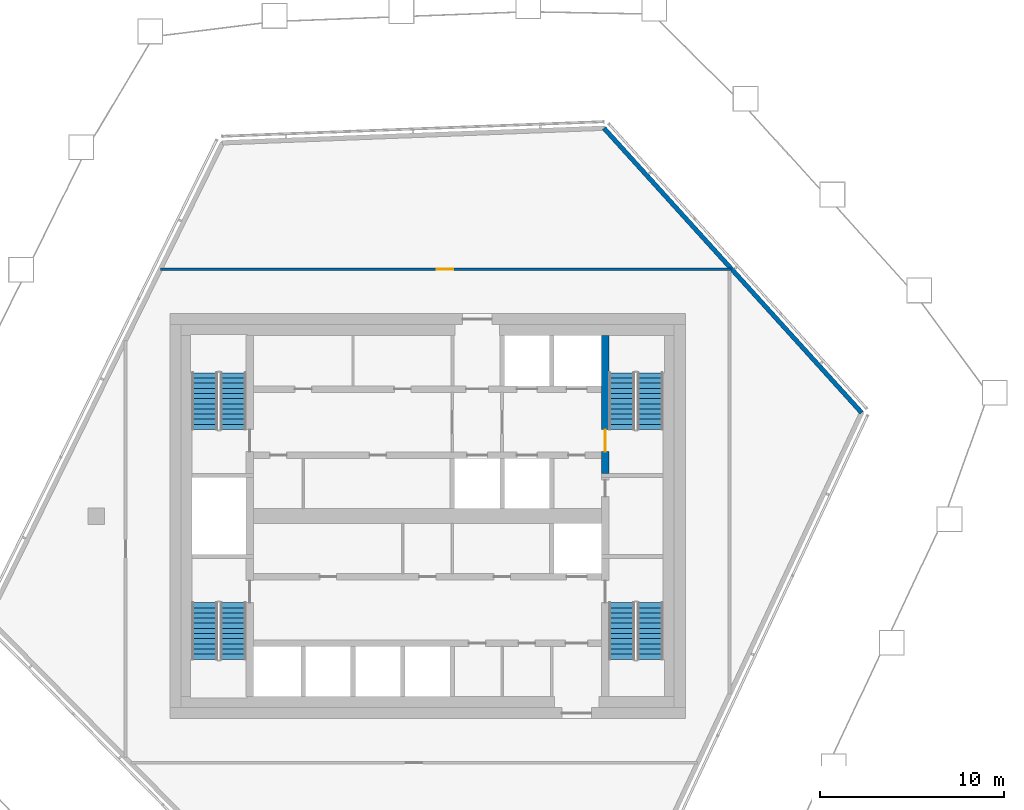
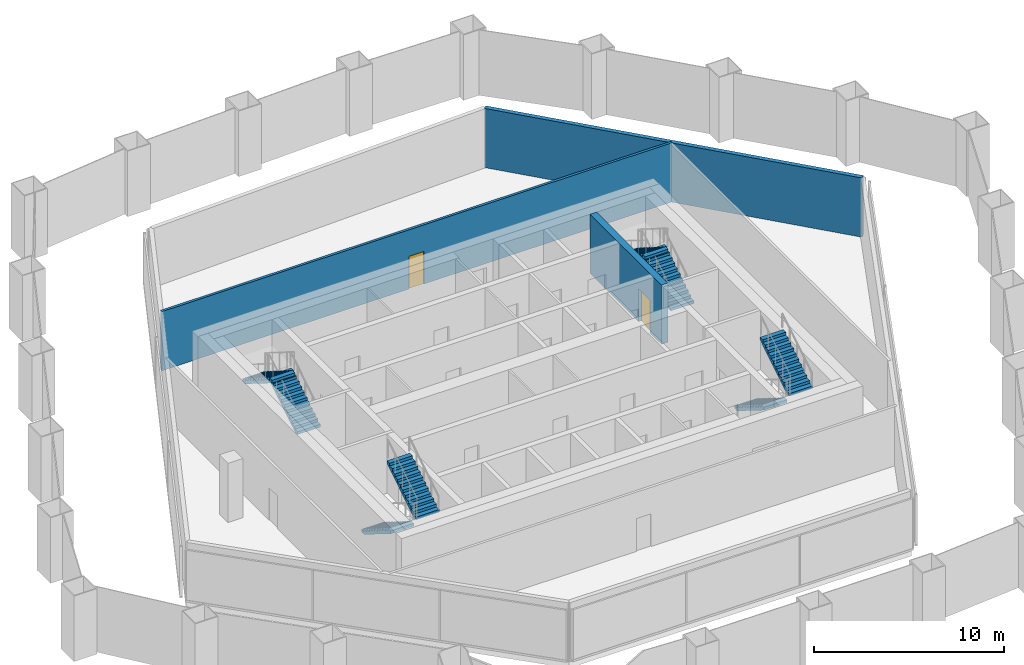
# One storey, part 9 of 18: 8 stair flights, 3 walls, 2 doors, 2 openings, 4 elements without a shape of their own.
"""IFC4 building model written with IfcOpenShell, lengths in metres."""

from ifc_helpers import new_model, si_unit, direction, frame, frame_2d, origin, place, context, subcontext, project, spatial, polyline, rectangle, outline, extrude, material, layer, layer_set, type_object, element, fill, aggregate, save


model = new_model("IFC4")

# Units and contexts
model_context = context("Model", 3, precision=1e-05, world=origin(), true_north=direction((0.0, 1.0)))
body_context = subcontext(model_context, "Body", "Model", "MODEL_VIEW")
ifc_project = project(units=[si_unit("LENGTHUNIT", "METRE"), si_unit("AREAUNIT", "SQUARE_METRE"), si_unit("VOLUMEUNIT", "CUBIC_METRE"), si_unit("PLANEANGLEUNIT", "RADIAN"), si_unit("MASSUNIT", "GRAM", prefix="KILO")], contexts=[model_context])

# Site, building, storey
site_placement = place(None, origin())
site = spatial("IfcSite", under=ifc_project, at=site_placement, CompositionType="ELEMENT")
building_placement = place(site_placement, origin())
building = spatial("IfcBuilding", under=site, at=building_placement, Name="Dongbaek Canopy Tower", CompositionType="ELEMENT")
storey_placement = place(building_placement, frame((0.0, 0.0, 359.0)))
storey = spatial("IfcBuildingStorey", under=building, at=storey_placement, Name="L77", CompositionType="ELEMENT", Elevation=359.0)

# Wall, opening, door
ifc_material_1 = material(Name="Gypsum board partition, steel stud, 2 x 15 mm fire board", Category="steel")
ifc_layer_1 = layer(ifc_material_1, 0.14990234375)
ifc_layer_set_1 = layer_set([ifc_layer_1], Name="Fire-rated partition 150 gypsum board")
wall_type_1 = type_object("IfcWallType", Name="Fire-rated partition 150 gypsum board", PredefinedType="PARTITIONING", material=ifc_layer_set_1)
wall_1_placement = place(storey_placement, frame((-14.499755859375, 13.39990234375, 0.0), z_axis=(0.0, 0.0, 1.0), x_axis=(1.0, 0.0, 0.0)))
wall_1 = element("IfcWall", 1, at=wall_1_placement, inside=storey, type_object=wall_type_1, Name="Corridor partition", PredefinedType="PARTITIONING", context=body_context, shape_type="SweptSolid", body=[
    extrude(rectangle(XDim=30.974853515625, YDim=0.14990234375, at=frame_2d((15.4873046875, 0.0))), origin(), (0.0, 0.0, 1.0), 3.800048828125),
])
opening_1_placement = place(wall_1_placement, frame((15.0, 0.0, 0.0)))
opening_1 = element("IfcOpeningElement", 2, at=opening_1_placement, cuts=wall_1, Name="Opening L77-D003", PredefinedType="OPENING", context=body_context, shape_type="SweptSolid", body=[
    extrude(rectangle(XDim=0.89990234375, YDim=2.10009765625, at=frame_2d((0.449951171875, 1.050048828125))), frame((0.0, 0.0849609375, 0.0), z_axis=(0.0, -1.0, 0.0), x_axis=(1.0, 0.0, 0.0)), (0.0, 0.0, 1.0), 0.169921875),
])
ifc_material_2 = material(Name="Timber veneered door leaf", Category="wood")
door_type_1 = type_object("IfcDoorType", Name="Store door 900 x 2100", OperationType="SINGLE_SWING_LEFT", PredefinedType="DOOR", material=ifc_material_2)
door_1_placement = place(opening_1_placement, origin())
door_1 = element("IfcDoor", 3, at=door_1_placement, inside=storey, type_object=door_type_1, Name="Door L77-D003", OperationType="SINGLE_SWING_RIGHT", OverallHeight=2.10009765625, OverallWidth=0.89990234375, PredefinedType="DOOR", context=body_context, shape_type="SweptSolid", body=[
    extrude(rectangle(XDim=0.89990234375, YDim=2.10009765625, at=frame_2d((0.449951171875, 1.050048828125))), frame((0.0, 0.02490234375, 0.0), z_axis=(0.0, -1.0, 0.0), x_axis=(1.0, 0.0, 0.0)), (0.0, 0.0, 1.0), 0.050048828125),
])
fill(opening_1, door_1)

# Wall
ifc_material_3 = material(Name="Pale metal cladding on insulated wall")
ifc_layer_2 = layer(ifc_material_3, 0.25)
ifc_layer_set_2 = layer_set([ifc_layer_2], Name="Plant floor wall 250")
wall_type_2 = type_object("IfcWallType", Name="Plant floor wall 250", PredefinedType="SOLIDWALL", material=ifc_layer_set_2)
wall_2_placement = place(storey_placement, frame((23.582763671875, 5.61376953125, 0.0), z_axis=(0.0, 0.0, 1.0), x_axis=(-0.671256862452, 0.741224813812, 0.0)))
element("IfcWall", 4, at=wall_2_placement, inside=storey, type_object=wall_type_2, Name="Plant wall L77 F2 1", PredefinedType="SOLIDWALL", context=body_context, shape_type="SweptSolid", body=[
    extrude(rectangle(XDim=20.855712890625, YDim=0.25, at=frame_2d((10.427734375, 0.0))), origin(), (0.0, 0.0, 1.0), 3.800048828125),
])

# Wall, opening, door
ifc_material_4 = material(Name="Concrete C60/75", Category="concrete")
ifc_layer_3 = layer(ifc_material_4, 0.39990234375)
ifc_layer_set_3 = layer_set([ifc_layer_3], Name="Stair wall 400 Concrete C60/75")
wall_type_3 = type_object("IfcWallType", Name="Stair wall 400 Concrete C60/75", PredefinedType="SHEAR", material=ifc_layer_set_3)
wall_3_placement = place(storey_placement, frame((9.64990234375, 9.800048828125, 0.0), z_axis=(0.0, 0.0, 1.0), x_axis=(0.0, -1.0, 0.0)))
wall_3 = element("IfcWall", 5, at=wall_3_placement, inside=storey, type_object=wall_type_3, Name="Stair wall", PredefinedType="SHEAR", context=body_context, shape_type="SweptSolid", body=[
    extrude(rectangle(XDim=7.5, YDim=0.39990234375, at=frame_2d((3.75, 0.0))), origin(), (0.0, 0.0, 1.0), 3.800048828125),
])
opening_2_placement = place(wall_3_placement, frame((5.10009765625, 0.0, 0.0)))
opening_2 = element("IfcOpeningElement", 6, at=opening_2_placement, cuts=wall_3, Name="Opening L77-D024", PredefinedType="OPENING", context=body_context, shape_type="SweptSolid", body=[
    extrude(rectangle(XDim=1.199951171875, YDim=2.10009765625, at=frame_2d((0.60009765625, 1.050048828125))), frame((0.0, 0.2099609375, 0.0), z_axis=(0.0, -1.0, 0.0), x_axis=(1.0, 0.0, 0.0)), (0.0, 0.0, 1.0), 0.419921875),
])
ifc_material_5 = material(Name="Steel", Category="steel")
door_type_2 = type_object("IfcDoorType", Name="Stair door 1200 x 2100", OperationType="SINGLE_SWING_LEFT", PredefinedType="DOOR", material=ifc_material_5)
door_2_placement = place(opening_2_placement, origin())
door_2 = element("IfcDoor", 7, at=door_2_placement, inside=storey, type_object=door_type_2, Name="Stair A door", OperationType="SINGLE_SWING_LEFT", OverallHeight=2.10009765625, OverallWidth=1.199951171875, PredefinedType="DOOR", context=body_context, shape_type="SweptSolid", body=[
    extrude(rectangle(XDim=1.199951171875, YDim=2.10009765625, at=frame_2d((0.60009765625, 1.050048828125))), frame((0.0, 0.02490234375, 0.0), z_axis=(0.0, -1.0, 0.0), x_axis=(1.0, 0.0, 0.0)), (0.0, 0.0, 1.0), 0.050048828125),
])
fill(opening_2, door_2)

# Stair, stair flights
ifc_material_6 = material(Name="Concrete C40/50", Category="concrete")
stair_type = type_object("IfcStairType", Name="Core exit stair", PredefinedType="HALF_TURN_STAIR", material=ifc_material_6)
stair_1_placement = place(storey_placement, origin())
stair_1 = element("IfcStair", 8, at=stair_1_placement, inside=storey, type_object=stair_type, Name="L77 exit stair A", PredefinedType="HALF_TURN_STAIR")
ifc_material_7 = material(Name="Concrete C40/50", Category="concrete")
ifc_layer_4 = layer(ifc_material_7, 0.14990234375)
ifc_layer_set_4 = layer_set([ifc_layer_4], Name="Core stair flight 150 waist")
stair_flight_type = type_object("IfcStairFlightType", Name="Core stair flight 150 waist", PredefinedType="STRAIGHT", material=ifc_layer_set_4)
stair_flight_1_placement = place(storey_placement, frame((12.10009765625, 4.699951171875, 0.0), z_axis=(0.0, 0.0, 1.0), x_axis=(0.0, 1.0, 0.0)))
stair_flight_1 = element("IfcStairFlight", 9, at=stair_flight_1_placement, type_object=stair_flight_type, Name="ST-A flight 1", NumberOfRisers=12, NumberOfTreads=11, PredefinedType="STRAIGHT", RiserHeight=0.175, TreadLength=0.28, context=body_context, shape_type="SweptSolid", body=[
    extrude(outline(polyline([(0.0, 0.0), (0.0, 0.175048828125), (0.280029296875, 0.175048828125), (0.280029296875, 0.35009765625), (0.56005859375, 0.35009765625), (0.56005859375, 0.52490234375), (0.840087890625, 0.52490234375), (0.840087890625, 0.699951171875), (1.1201171875, 0.699951171875), (1.1201171875, 0.875), (1.39990234375, 0.875), (1.39990234375, 1.050048828125), (1.679931640625, 1.050048828125), (1.679931640625, 1.22509765625), (1.9599609375, 1.22509765625), (1.9599609375, 1.39990234375), (2.239990234375, 1.39990234375), (2.239990234375, 1.574951171875), (2.52001953125, 1.574951171875), (2.52001953125, 1.75), (2.800048828125, 1.75), (2.800048828125, 1.925048828125), (3.080078125, 1.925048828125), (3.080078125, 2.10009765625), (3.080078125, 1.748291015625), (0.28271484375, 0.0), (0.0, 0.0)])), frame((0.0, 0.699951171875, 0.0), z_axis=(0.0, -1.0, 0.0), x_axis=(1.0, 0.0, 0.0)), (0.0, 0.0, 1.0), 1.39990234375),
])
stair_flight_2_placement = place(storey_placement, frame((10.550048828125, 7.780029296875, 2.10009765625), z_axis=(0.0, 0.0, 1.0), x_axis=(0.0, -1.0, 0.0)))
stair_flight_2 = element("IfcStairFlight", 10, at=stair_flight_2_placement, type_object=stair_flight_type, Name="ST-A flight 2", NumberOfRisers=12, NumberOfTreads=11, PredefinedType="STRAIGHT", RiserHeight=0.175, TreadLength=0.28, context=body_context, shape_type="SweptSolid", body=[
    extrude(outline(polyline([(0.0, 0.0), (0.0, 0.175048828125), (0.280029296875, 0.175048828125), (0.280029296875, 0.35009765625), (0.56005859375, 0.35009765625), (0.56005859375, 0.52490234375), (0.840087890625, 0.52490234375), (0.840087890625, 0.699951171875), (1.1201171875, 0.699951171875), (1.1201171875, 0.875), (1.39990234375, 0.875), (1.39990234375, 1.050048828125), (1.679931640625, 1.050048828125), (1.679931640625, 1.22509765625), (1.9599609375, 1.22509765625), (1.9599609375, 1.39990234375), (2.239990234375, 1.39990234375), (2.239990234375, 1.574951171875), (2.52001953125, 1.574951171875), (2.52001953125, 1.75), (2.800048828125, 1.75), (2.800048828125, 1.925048828125), (3.080078125, 1.925048828125), (3.080078125, 2.10009765625), (3.080078125, 1.748291015625), (0.28271484375, 0.0), (0.0, 0.0)])), frame((0.0, 0.699951171875, 0.0), z_axis=(0.0, -1.0, 0.0), x_axis=(1.0, 0.0, 0.0)), (0.0, 0.0, 1.0), 1.39990234375),
])
aggregate(stair_1, [stair_flight_1, stair_flight_2])

stair_2_placement = place(storey_placement, origin())
stair_2 = element("IfcStair", 11, at=stair_2_placement, inside=storey, type_object=stair_type, Name="L77 exit stair C", PredefinedType="HALF_TURN_STAIR")
stair_flight_3_placement = place(storey_placement, frame((-10.550048828125, 4.699951171875, 0.0), z_axis=(0.0, 0.0, 1.0), x_axis=(0.0, 1.0, 0.0)))
stair_flight_3 = element("IfcStairFlight", 12, at=stair_flight_3_placement, type_object=stair_flight_type, Name="ST-C flight 1", NumberOfRisers=12, NumberOfTreads=11, PredefinedType="STRAIGHT", RiserHeight=0.175, TreadLength=0.28, context=body_context, shape_type="SweptSolid", body=[
    extrude(outline(polyline([(0.0, 0.0), (0.0, 0.175048828125), (0.280029296875, 0.175048828125), (0.280029296875, 0.35009765625), (0.56005859375, 0.35009765625), (0.56005859375, 0.52490234375), (0.840087890625, 0.52490234375), (0.840087890625, 0.699951171875), (1.1201171875, 0.699951171875), (1.1201171875, 0.875), (1.39990234375, 0.875), (1.39990234375, 1.050048828125), (1.679931640625, 1.050048828125), (1.679931640625, 1.22509765625), (1.9599609375, 1.22509765625), (1.9599609375, 1.39990234375), (2.239990234375, 1.39990234375), (2.239990234375, 1.574951171875), (2.52001953125, 1.574951171875), (2.52001953125, 1.75), (2.800048828125, 1.75), (2.800048828125, 1.925048828125), (3.080078125, 1.925048828125), (3.080078125, 2.10009765625), (3.080078125, 1.748291015625), (0.28271484375, 0.0), (0.0, 0.0)])), frame((0.0, 0.699951171875, 0.0), z_axis=(0.0, -1.0, 0.0), x_axis=(1.0, 0.0, 0.0)), (0.0, 0.0, 1.0), 1.39990234375),
])
stair_flight_4_placement = place(storey_placement, frame((-12.10009765625, 7.780029296875, 2.10009765625), z_axis=(0.0, 0.0, 1.0), x_axis=(0.0, -1.0, 0.0)))
stair_flight_4 = element("IfcStairFlight", 13, at=stair_flight_4_placement, type_object=stair_flight_type, Name="ST-C flight 2", NumberOfRisers=12, NumberOfTreads=11, PredefinedType="STRAIGHT", RiserHeight=0.175, TreadLength=0.28, context=body_context, shape_type="SweptSolid", body=[
    extrude(outline(polyline([(0.0, 0.0), (0.0, 0.175048828125), (0.280029296875, 0.175048828125), (0.280029296875, 0.35009765625), (0.56005859375, 0.35009765625), (0.56005859375, 0.52490234375), (0.840087890625, 0.52490234375), (0.840087890625, 0.699951171875), (1.1201171875, 0.699951171875), (1.1201171875, 0.875), (1.39990234375, 0.875), (1.39990234375, 1.050048828125), (1.679931640625, 1.050048828125), (1.679931640625, 1.22509765625), (1.9599609375, 1.22509765625), (1.9599609375, 1.39990234375), (2.239990234375, 1.39990234375), (2.239990234375, 1.574951171875), (2.52001953125, 1.574951171875), (2.52001953125, 1.75), (2.800048828125, 1.75), (2.800048828125, 1.925048828125), (3.080078125, 1.925048828125), (3.080078125, 2.10009765625), (3.080078125, 1.748291015625), (0.28271484375, 0.0), (0.0, 0.0)])), frame((0.0, 0.699951171875, 0.0), z_axis=(0.0, -1.0, 0.0), x_axis=(1.0, 0.0, 0.0)), (0.0, 0.0, 1.0), 1.39990234375),
])
aggregate(stair_2, [stair_flight_3, stair_flight_4])

stair_3_placement = place(storey_placement, origin())
stair_3 = element("IfcStair", 14, at=stair_3_placement, inside=storey, type_object=stair_type, Name="L77 exit stair B", PredefinedType="HALF_TURN_STAIR")
stair_flight_5_placement = place(storey_placement, frame((10.550048828125, -4.699951171875, 0.0), z_axis=(0.0, 0.0, 1.0), x_axis=(0.0, -1.0, 0.0)))
stair_flight_5 = element("IfcStairFlight", 15, at=stair_flight_5_placement, type_object=stair_flight_type, Name="ST-B flight 1", NumberOfRisers=12, NumberOfTreads=11, PredefinedType="STRAIGHT", RiserHeight=0.175, TreadLength=0.28, context=body_context, shape_type="SweptSolid", body=[
    extrude(outline(polyline([(0.0, 0.0), (0.0, 0.175048828125), (0.280029296875, 0.175048828125), (0.280029296875, 0.35009765625), (0.56005859375, 0.35009765625), (0.56005859375, 0.52490234375), (0.840087890625, 0.52490234375), (0.840087890625, 0.699951171875), (1.1201171875, 0.699951171875), (1.1201171875, 0.875), (1.39990234375, 0.875), (1.39990234375, 1.050048828125), (1.679931640625, 1.050048828125), (1.679931640625, 1.22509765625), (1.9599609375, 1.22509765625), (1.9599609375, 1.39990234375), (2.239990234375, 1.39990234375), (2.239990234375, 1.574951171875), (2.52001953125, 1.574951171875), (2.52001953125, 1.75), (2.800048828125, 1.75), (2.800048828125, 1.925048828125), (3.080078125, 1.925048828125), (3.080078125, 2.10009765625), (3.080078125, 1.748291015625), (0.28271484375, 0.0), (0.0, 0.0)])), frame((0.0, 0.699951171875, 0.0), z_axis=(0.0, -1.0, 0.0), x_axis=(1.0, 0.0, 0.0)), (0.0, 0.0, 1.0), 1.39990234375),
])
stair_flight_6_placement = place(storey_placement, frame((12.10009765625, -7.780029296875, 2.10009765625), z_axis=(0.0, 0.0, 1.0), x_axis=(0.0, 1.0, 0.0)))
stair_flight_6 = element("IfcStairFlight", 16, at=stair_flight_6_placement, type_object=stair_flight_type, Name="ST-B flight 2", NumberOfRisers=12, NumberOfTreads=11, PredefinedType="STRAIGHT", RiserHeight=0.175, TreadLength=0.28, context=body_context, shape_type="SweptSolid", body=[
    extrude(outline(polyline([(0.0, 0.0), (0.0, 0.175048828125), (0.280029296875, 0.175048828125), (0.280029296875, 0.35009765625), (0.56005859375, 0.35009765625), (0.56005859375, 0.52490234375), (0.840087890625, 0.52490234375), (0.840087890625, 0.699951171875), (1.1201171875, 0.699951171875), (1.1201171875, 0.875), (1.39990234375, 0.875), (1.39990234375, 1.050048828125), (1.679931640625, 1.050048828125), (1.679931640625, 1.22509765625), (1.9599609375, 1.22509765625), (1.9599609375, 1.39990234375), (2.239990234375, 1.39990234375), (2.239990234375, 1.574951171875), (2.52001953125, 1.574951171875), (2.52001953125, 1.75), (2.800048828125, 1.75), (2.800048828125, 1.925048828125), (3.080078125, 1.925048828125), (3.080078125, 2.10009765625), (3.080078125, 1.748291015625), (0.28271484375, 0.0), (0.0, 0.0)])), frame((0.0, 0.699951171875, 0.0), z_axis=(0.0, -1.0, 0.0), x_axis=(1.0, 0.0, 0.0)), (0.0, 0.0, 1.0), 1.39990234375),
])
aggregate(stair_3, [stair_flight_5, stair_flight_6])

stair_4_placement = place(storey_placement, origin())
stair_4 = element("IfcStair", 17, at=stair_4_placement, inside=storey, type_object=stair_type, Name="L77 exit stair D", PredefinedType="HALF_TURN_STAIR")
stair_flight_7_placement = place(storey_placement, frame((-12.10009765625, -4.699951171875, 0.0), z_axis=(0.0, 0.0, 1.0), x_axis=(0.0, -1.0, 0.0)))
stair_flight_7 = element("IfcStairFlight", 18, at=stair_flight_7_placement, type_object=stair_flight_type, Name="ST-D flight 1", NumberOfRisers=12, NumberOfTreads=11, PredefinedType="STRAIGHT", RiserHeight=0.175, TreadLength=0.28, context=body_context, shape_type="SweptSolid", body=[
    extrude(outline(polyline([(0.0, 0.0), (0.0, 0.175048828125), (0.280029296875, 0.175048828125), (0.280029296875, 0.35009765625), (0.56005859375, 0.35009765625), (0.56005859375, 0.52490234375), (0.840087890625, 0.52490234375), (0.840087890625, 0.699951171875), (1.1201171875, 0.699951171875), (1.1201171875, 0.875), (1.39990234375, 0.875), (1.39990234375, 1.050048828125), (1.679931640625, 1.050048828125), (1.679931640625, 1.22509765625), (1.9599609375, 1.22509765625), (1.9599609375, 1.39990234375), (2.239990234375, 1.39990234375), (2.239990234375, 1.574951171875), (2.52001953125, 1.574951171875), (2.52001953125, 1.75), (2.800048828125, 1.75), (2.800048828125, 1.925048828125), (3.080078125, 1.925048828125), (3.080078125, 2.10009765625), (3.080078125, 1.748291015625), (0.28271484375, 0.0), (0.0, 0.0)])), frame((0.0, 0.699951171875, 0.0), z_axis=(0.0, -1.0, 0.0), x_axis=(1.0, 0.0, 0.0)), (0.0, 0.0, 1.0), 1.39990234375),
])
stair_flight_8_placement = place(storey_placement, frame((-10.550048828125, -7.780029296875, 2.10009765625), z_axis=(0.0, 0.0, 1.0), x_axis=(0.0, 1.0, 0.0)))
stair_flight_8 = element("IfcStairFlight", 19, at=stair_flight_8_placement, type_object=stair_flight_type, Name="ST-D flight 2", NumberOfRisers=12, NumberOfTreads=11, PredefinedType="STRAIGHT", RiserHeight=0.175, TreadLength=0.28, context=body_context, shape_type="SweptSolid", body=[
    extrude(outline(polyline([(0.0, 0.0), (0.0, 0.175048828125), (0.280029296875, 0.175048828125), (0.280029296875, 0.35009765625), (0.56005859375, 0.35009765625), (0.56005859375, 0.52490234375), (0.840087890625, 0.52490234375), (0.840087890625, 0.699951171875), (1.1201171875, 0.699951171875), (1.1201171875, 0.875), (1.39990234375, 0.875), (1.39990234375, 1.050048828125), (1.679931640625, 1.050048828125), (1.679931640625, 1.22509765625), (1.9599609375, 1.22509765625), (1.9599609375, 1.39990234375), (2.239990234375, 1.39990234375), (2.239990234375, 1.574951171875), (2.52001953125, 1.574951171875), (2.52001953125, 1.75), (2.800048828125, 1.75), (2.800048828125, 1.925048828125), (3.080078125, 1.925048828125), (3.080078125, 2.10009765625), (3.080078125, 1.748291015625), (0.28271484375, 0.0), (0.0, 0.0)])), frame((0.0, 0.699951171875, 0.0), z_axis=(0.0, -1.0, 0.0), x_axis=(1.0, 0.0, 0.0)), (0.0, 0.0, 1.0), 1.39990234375),
])
aggregate(stair_4, [stair_flight_7, stair_flight_8])

save(model, "model.ifc")
